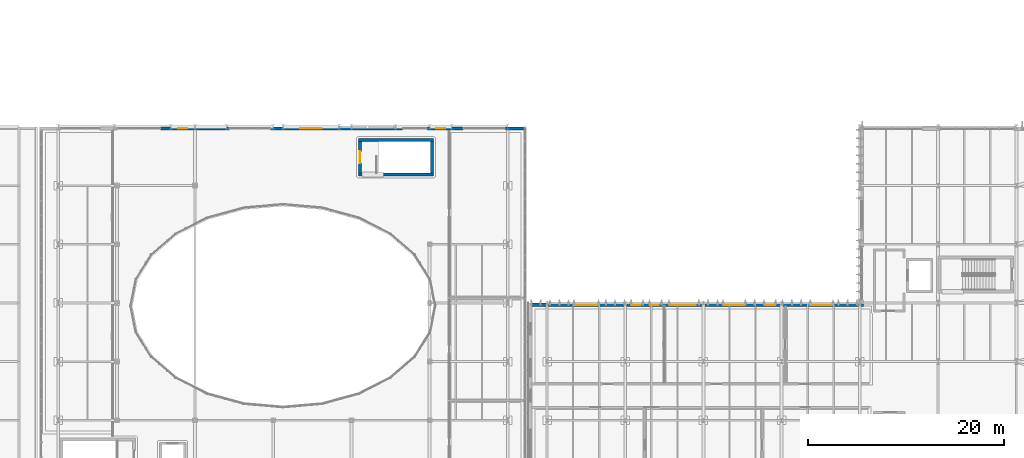
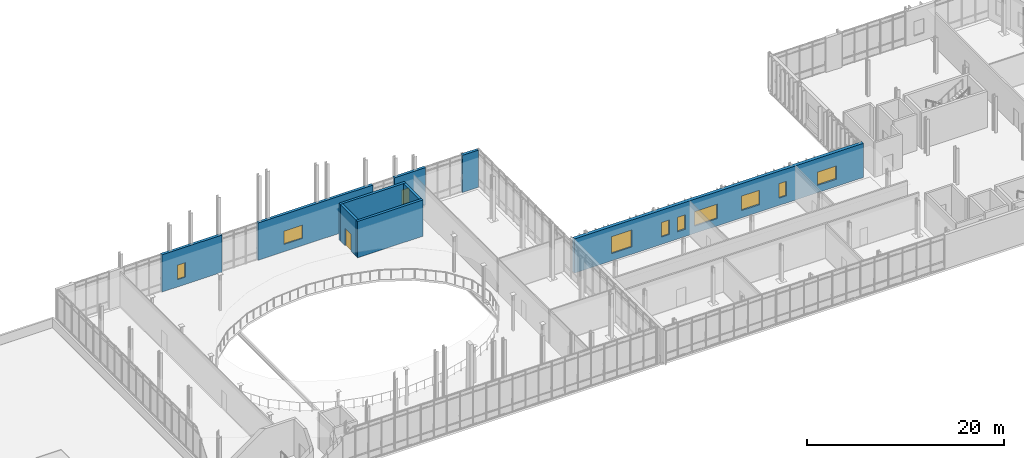
# One storey, part 62 of 86: 10 windows, 9 walls, 1 door, 11 openings.
"""IFC4 building model written with IfcOpenShell, lengths in metres."""

from ifc_helpers import new_model, si_unit, direction, frame, frame_2d, origin, place, context, subcontext, project, spatial, rectangle, extrude, material, layer, layer_set, type_object, element, fill, save


model = new_model("IFC4")

# Units and contexts
model_context = context("Model", 3, precision=1e-05, world=origin(), true_north=direction((0.0, 1.0)))
body_context = subcontext(model_context, "Body", "Model", "MODEL_VIEW")
ifc_project = project(units=[si_unit("LENGTHUNIT", "METRE"), si_unit("AREAUNIT", "SQUARE_METRE"), si_unit("VOLUMEUNIT", "CUBIC_METRE"), si_unit("PLANEANGLEUNIT", "RADIAN"), si_unit("MASSUNIT", "GRAM", prefix="KILO")], contexts=[model_context])

# Site, building, storey
site_placement = place(None, origin())
site = spatial("IfcSite", under=ifc_project, at=site_placement, CompositionType="ELEMENT")
building_placement = place(site_placement, origin())
building = spatial("IfcBuilding", under=site, at=building_placement, Name="Cymarion Research Institute", CompositionType="ELEMENT")
storey_placement = place(building_placement, frame((0.0, 0.0, 13.800048828125)))
storey = spatial("IfcBuildingStorey", under=building, at=storey_placement, Name="L03", CompositionType="ELEMENT", Elevation=13.800048828125)

# Wall, openings, windows
ifc_material_1 = material(Name="Precast concrete C40/50", Category="concrete")
ifc_layer_1 = layer(ifc_material_1, 0.3798828125)
ifc_layer_set_1 = layer_set([ifc_layer_1], Name="Precast concrete C40/50")
wall_type_1 = type_object("IfcWallType", Name="EXTERIOR WALL EW-PC380 380MM", PredefinedType="SOLIDWALL", material=ifc_layer_set_1)
wall_1_placement = place(storey_placement, frame((138.9619140625, 23.31005859375, 0.0), z_axis=(0.0, 0.0, 1.0), x_axis=(-1.0, 0.0, 0.0)))
wall_1 = element("IfcWall", 1, at=wall_1_placement, inside=storey, type_object=wall_type_1, Name="L03 V1 exterior wall EW-PC380 #179", PredefinedType="SOLIDWALL", context=body_context, shape_type="SweptSolid", body=[
    extrude(rectangle(XDim=33.89990234375, YDim=0.3798828125, at=frame_2d((16.949951171875, 0.0))), origin(), (0.0, 0.0, 1.0), 4.239990234375),
])
opening_1_placement = place(wall_1_placement, frame((3.181884765625, 0.0, 0.89990234375)))
opening_1 = element("IfcOpeningElement", 2, at=opening_1_placement, cuts=wall_1, Name="Opening W34", PredefinedType="OPENING", context=body_context, shape_type="SweptSolid", body=[
    extrude(rectangle(XDim=2.199951171875, YDim=1.64990234375, at=frame_2d((1.10009765625, 0.824951171875))), frame((0.0, 0.199951171875, 0.0), z_axis=(0.0, -1.0, 0.0), x_axis=(1.0, 0.0, 0.0)), (0.0, 0.0, 1.0), 0.39990234375),
])
opening_2_placement = place(wall_1_placement, frame((9.031982421875, 0.0, 0.89990234375)))
opening_2 = element("IfcOpeningElement", 3, at=opening_2_placement, cuts=wall_1, Name="Opening W24", PredefinedType="OPENING", context=body_context, shape_type="SweptSolid", body=[
    extrude(rectangle(XDim=0.89990234375, YDim=1.800048828125, at=frame_2d((0.449951171875, 0.89990234375))), frame((0.0, 0.199951171875, 0.0), z_axis=(0.0, -1.0, 0.0), x_axis=(1.0, 0.0, 0.0)), (0.0, 0.0, 1.0), 0.39990234375),
])
opening_3_placement = place(wall_1_placement, frame((12.19189453125, 0.0, 0.89990234375)))
opening_3 = element("IfcOpeningElement", 4, at=opening_3_placement, cuts=wall_1, Name="Opening W04", PredefinedType="OPENING", context=body_context, shape_type="SweptSolid", body=[
    extrude(rectangle(XDim=2.10009765625, YDim=1.800048828125, at=frame_2d((1.050048828125, 0.89990234375))), frame((0.0, 0.199951171875, 0.0), z_axis=(0.0, -1.0, 0.0), x_axis=(1.0, 0.0, 0.0)), (0.0, 0.0, 1.0), 0.39990234375),
])
opening_4_placement = place(wall_1_placement, frame((17.132080078125, 0.0, 0.89990234375)))
opening_4 = element("IfcOpeningElement", 5, at=opening_4_placement, cuts=wall_1, Name="Opening W06", PredefinedType="OPENING", context=body_context, shape_type="SweptSolid", body=[
    extrude(rectangle(XDim=2.699951171875, YDim=1.800048828125, at=frame_2d((1.35009765625, 0.89990234375))), frame((0.0, 0.199951171875, 0.0), z_axis=(0.0, -1.0, 0.0), x_axis=(1.0, 0.0, 0.0)), (0.0, 0.0, 1.0), 0.39990234375),
])
opening_5_placement = place(wall_1_placement, frame((20.912109375, 0.0, 0.89990234375)))
opening_5 = element("IfcOpeningElement", 6, at=opening_5_placement, cuts=wall_1, Name="Opening W24", PredefinedType="OPENING", context=body_context, shape_type="SweptSolid", body=[
    extrude(rectangle(XDim=0.89990234375, YDim=1.800048828125, at=frame_2d((0.449951171875, 0.89990234375))), frame((0.0, 0.199951171875, 0.0), z_axis=(0.0, -1.0, 0.0), x_axis=(1.0, 0.0, 0.0)), (0.0, 0.0, 1.0), 0.39990234375),
])
opening_6_placement = place(wall_1_placement, frame((22.7919921875, 0.0, 0.89990234375)))
opening_6 = element("IfcOpeningElement", 7, at=opening_6_placement, cuts=wall_1, Name="Opening W24", PredefinedType="OPENING", context=body_context, shape_type="SweptSolid", body=[
    extrude(rectangle(XDim=0.89990234375, YDim=1.800048828125, at=frame_2d((0.449951171875, 0.89990234375))), frame((0.0, 0.199951171875, 0.0), z_axis=(0.0, -1.0, 0.0), x_axis=(1.0, 0.0, 0.0)), (0.0, 0.0, 1.0), 0.39990234375),
])
opening_7_placement = place(wall_1_placement, frame((27.162109375, 0.0, 0.89990234375)))
opening_7 = element("IfcOpeningElement", 8, at=opening_7_placement, cuts=wall_1, Name="Opening W12", PredefinedType="OPENING", context=body_context, shape_type="SweptSolid", body=[
    extrude(rectangle(XDim=2.39990234375, YDim=2.10009765625, at=frame_2d((1.199951171875, 1.050048828125))), frame((0.0, 0.199951171875, 0.0), z_axis=(0.0, -1.0, 0.0), x_axis=(1.0, 0.0, 0.0)), (0.0, 0.0, 1.0), 0.39990234375),
])
ifc_material_2 = material(Name="Thermally broken aluminium window with Low-E glazing", Category="aluminium")
window_type_1 = type_object("IfcWindowType", Name="THERMALLY BROKEN ALUMINIUM WINDOW W04 2100X1800", PartitioningType="DOUBLE_PANEL_VERTICAL", PredefinedType="WINDOW", material=ifc_material_2)
window_1_placement = place(opening_3_placement, origin())
window_1 = element("IfcWindow", 9, at=window_1_placement, inside=storey, type_object=window_type_1, Name="L03 V1 facade window W04 #323", OverallHeight=1.800048828125, OverallWidth=2.10009765625, PartitioningType="SINGLE_PANEL", PredefinedType="WINDOW", context=body_context, shape_type="SweptSolid", body=[
    extrude(rectangle(XDim=2.10009765625, YDim=1.800048828125, at=frame_2d((1.050048828125, 0.89990234375))), frame((0.0, 0.030029296875, 0.0), z_axis=(0.0, -1.0, 0.0), x_axis=(1.0, 0.0, 0.0)), (0.0, 0.0, 1.0), 0.06005859375),
])
fill(opening_3, window_1)
window_type_2 = type_object("IfcWindowType", Name="THERMALLY BROKEN ALUMINIUM WINDOW W06 2700X1800", PartitioningType="TRIPLE_PANEL_VERTICAL", PredefinedType="WINDOW", material=ifc_material_2)
window_2_placement = place(opening_4_placement, origin())
window_2 = element("IfcWindow", 10, at=window_2_placement, inside=storey, type_object=window_type_2, Name="L03 V1 facade window W06 #324", OverallHeight=1.800048828125, OverallWidth=2.699951171875, PartitioningType="SINGLE_PANEL", PredefinedType="WINDOW", context=body_context, shape_type="SweptSolid", body=[
    extrude(rectangle(XDim=2.699951171875, YDim=1.800048828125, at=frame_2d((1.35009765625, 0.89990234375))), frame((0.0, 0.030029296875, 0.0), z_axis=(0.0, -1.0, 0.0), x_axis=(1.0, 0.0, 0.0)), (0.0, 0.0, 1.0), 0.06005859375),
])
fill(opening_4, window_2)
window_type_3 = type_object("IfcWindowType", Name="THERMALLY BROKEN ALUMINIUM WINDOW W12 2400X2100", PartitioningType="TRIPLE_PANEL_VERTICAL", PredefinedType="WINDOW", material=ifc_material_2)
window_3_placement = place(opening_7_placement, origin())
window_3 = element("IfcWindow", 11, at=window_3_placement, inside=storey, type_object=window_type_3, Name="L03 V1 facade window W12 #327", OverallHeight=2.10009765625, OverallWidth=2.39990234375, PartitioningType="SINGLE_PANEL", PredefinedType="WINDOW", context=body_context, shape_type="SweptSolid", body=[
    extrude(rectangle(XDim=2.39990234375, YDim=2.10009765625, at=frame_2d((1.199951171875, 1.050048828125))), frame((0.0, 0.030029296875, 0.0), z_axis=(0.0, -1.0, 0.0), x_axis=(1.0, 0.0, 0.0)), (0.0, 0.0, 1.0), 0.06005859375),
])
fill(opening_7, window_3)
window_type_4 = type_object("IfcWindowType", Name="THERMALLY BROKEN ALUMINIUM WINDOW W24 900X1800", PartitioningType="SINGLE_PANEL", PredefinedType="WINDOW", material=ifc_material_2)
window_4_placement = place(opening_2_placement, origin())
window_4 = element("IfcWindow", 12, at=window_4_placement, inside=storey, type_object=window_type_4, Name="L03 V1 facade window W24 #322", OverallHeight=1.800048828125, OverallWidth=0.89990234375, PartitioningType="SINGLE_PANEL", PredefinedType="WINDOW", context=body_context, shape_type="SweptSolid", body=[
    extrude(rectangle(XDim=0.89990234375, YDim=1.800048828125, at=frame_2d((0.449951171875, 0.89990234375))), frame((0.0, 0.030029296875, 0.0), z_axis=(0.0, -1.0, 0.0), x_axis=(1.0, 0.0, 0.0)), (0.0, 0.0, 1.0), 0.06005859375),
])
fill(opening_2, window_4)
window_5_placement = place(opening_5_placement, origin())
window_5 = element("IfcWindow", 13, at=window_5_placement, inside=storey, type_object=window_type_4, Name="L03 V1 facade window W24 #325", OverallHeight=1.800048828125, OverallWidth=0.89990234375, PartitioningType="SINGLE_PANEL", PredefinedType="WINDOW", context=body_context, shape_type="SweptSolid", body=[
    extrude(rectangle(XDim=0.89990234375, YDim=1.800048828125, at=frame_2d((0.449951171875, 0.89990234375))), frame((0.0, 0.030029296875, 0.0), z_axis=(0.0, -1.0, 0.0), x_axis=(1.0, 0.0, 0.0)), (0.0, 0.0, 1.0), 0.06005859375),
])
fill(opening_5, window_5)
window_6_placement = place(opening_6_placement, origin())
window_6 = element("IfcWindow", 14, at=window_6_placement, inside=storey, type_object=window_type_4, Name="L03 V1 facade window W24 #326", OverallHeight=1.800048828125, OverallWidth=0.89990234375, PartitioningType="SINGLE_PANEL", PredefinedType="WINDOW", context=body_context, shape_type="SweptSolid", body=[
    extrude(rectangle(XDim=0.89990234375, YDim=1.800048828125, at=frame_2d((0.449951171875, 0.89990234375))), frame((0.0, 0.030029296875, 0.0), z_axis=(0.0, -1.0, 0.0), x_axis=(1.0, 0.0, 0.0)), (0.0, 0.0, 1.0), 0.06005859375),
])
fill(opening_6, window_6)
window_type_5 = type_object("IfcWindowType", Name="THERMALLY BROKEN ALUMINIUM WINDOW W34 2200X1650", PartitioningType="DOUBLE_PANEL_VERTICAL", PredefinedType="WINDOW", material=ifc_material_2)
window_7_placement = place(opening_1_placement, origin())
window_7 = element("IfcWindow", 15, at=window_7_placement, inside=storey, type_object=window_type_5, Name="L03 V1 facade window W34 #321", OverallHeight=1.64990234375, OverallWidth=2.199951171875, PartitioningType="SINGLE_PANEL", PredefinedType="WINDOW", context=body_context, shape_type="SweptSolid", body=[
    extrude(rectangle(XDim=2.199951171875, YDim=1.64990234375, at=frame_2d((1.10009765625, 0.824951171875))), frame((0.0, 0.030029296875, 0.0), z_axis=(0.0, -1.0, 0.0), x_axis=(1.0, 0.0, 0.0)), (0.0, 0.0, 1.0), 0.06005859375),
])
fill(opening_1, window_7)

# Wall
ifc_material_3 = material(Name="Concrete C40/50", Category="concrete")
ifc_layer_2 = layer(ifc_material_3, 0.320068359375)
ifc_layer_set_2 = layer_set([ifc_layer_2], Name="Concrete C40/50")
wall_type_2 = type_object("IfcWallType", Name="EXTERIOR WALL EW-RC320 320MM", PredefinedType="SHEAR", material=ifc_layer_set_2)
wall_2_placement = place(storey_placement, frame((104.197998046875, 41.340087890625, 0.0), z_axis=(0.0, 0.0, 1.0), x_axis=(-1.0, 0.0, 0.0)))
element("IfcWall", 16, at=wall_2_placement, inside=storey, type_object=wall_type_2, Name="L03 V2 facade pier wall EW-RC320 #182", PredefinedType="SHEAR", context=body_context, shape_type="SweptSolid", body=[
    extrude(rectangle(XDim=1.85791015625, YDim=0.320068359375, at=frame_2d((0.928955078125, 0.0))), origin(), (0.0, 0.0, 1.0), 4.619873046875),
])

# Wall, opening, window
wall_3_placement = place(storey_placement, frame((98.0107421875, 41.340087890625, 0.0), z_axis=(0.0, 0.0, 1.0), x_axis=(-1.0, 0.0, 0.0)))
wall_3 = element("IfcWall", 17, at=wall_3_placement, inside=storey, type_object=wall_type_2, Name="L03 V2 facade pier wall EW-RC320 #183", PredefinedType="SHEAR", context=body_context, shape_type="SweptSolid", body=[
    extrude(rectangle(XDim=3.670654296875, YDim=0.320068359375, at=frame_2d((1.83544921875, 0.0))), origin(), (0.0, 0.0, 1.0), 4.619873046875),
])
opening_8_placement = place(wall_3_placement, frame((1.841064453125, 0.0, 0.89990234375)))
opening_8 = element("IfcOpeningElement", 18, at=opening_8_placement, cuts=wall_3, Name="Opening W24", PredefinedType="OPENING", context=body_context, shape_type="SweptSolid", body=[
    extrude(rectangle(XDim=0.89990234375, YDim=1.800048828125, at=frame_2d((0.449951171875, 0.89990234375))), frame((0.0, 0.169921875, 0.0), z_axis=(0.0, -1.0, 0.0), x_axis=(1.0, 0.0, 0.0)), (0.0, 0.0, 1.0), 0.340087890625),
])
window_8_placement = place(opening_8_placement, origin())
window_8 = element("IfcWindow", 19, at=window_8_placement, inside=storey, type_object=window_type_4, Name="L03 V2 facade window W24 #333", OverallHeight=1.800048828125, OverallWidth=0.89990234375, PartitioningType="SINGLE_PANEL", PredefinedType="WINDOW", context=body_context, shape_type="SweptSolid", body=[
    extrude(rectangle(XDim=0.89990234375, YDim=1.800048828125, at=frame_2d((0.449951171875, 0.89990234375))), frame((0.0, 0.030029296875, 0.0), z_axis=(0.0, -1.0, 0.0), x_axis=(1.0, 0.0, 0.0)), (0.0, 0.0, 1.0), 0.06005859375),
])
fill(opening_8, window_8)

wall_4_placement = place(storey_placement, frame((91.823486328125, 41.340087890625, 0.0), z_axis=(0.0, 0.0, 1.0), x_axis=(-1.0, 0.0, 0.0)))
wall_4 = element("IfcWall", 20, at=wall_4_placement, inside=storey, type_object=wall_type_2, Name="L03 V2 facade pier wall EW-RC320 #184", PredefinedType="SHEAR", context=body_context, shape_type="SweptSolid", body=[
    extrude(rectangle(XDim=13.4833984375, YDim=0.320068359375, at=frame_2d((6.74169921875, 0.0))), origin(), (0.0, 0.0, 1.0), 4.619873046875),
])
opening_9_placement = place(wall_4_placement, frame((8.259033203125, 0.0, 0.89990234375)))
opening_9 = element("IfcOpeningElement", 21, at=opening_9_placement, cuts=wall_4, Name="Opening W34", PredefinedType="OPENING", context=body_context, shape_type="SweptSolid", body=[
    extrude(rectangle(XDim=2.199951171875, YDim=1.64990234375, at=frame_2d((1.10009765625, 0.824951171875))), frame((0.0, 0.169921875, 0.0), z_axis=(0.0, -1.0, 0.0), x_axis=(1.0, 0.0, 0.0)), (0.0, 0.0, 1.0), 0.340087890625),
])
window_9_placement = place(opening_9_placement, origin())
window_9 = element("IfcWindow", 22, at=window_9_placement, inside=storey, type_object=window_type_5, Name="L03 V2 facade window W34 #334", OverallHeight=1.64990234375, OverallWidth=2.199951171875, PartitioningType="SINGLE_PANEL", PredefinedType="WINDOW", context=body_context, shape_type="SweptSolid", body=[
    extrude(rectangle(XDim=2.199951171875, YDim=1.64990234375, at=frame_2d((1.10009765625, 0.824951171875))), frame((0.0, 0.030029296875, 0.0), z_axis=(0.0, -1.0, 0.0), x_axis=(1.0, 0.0, 0.0)), (0.0, 0.0, 1.0), 0.06005859375),
])
fill(opening_9, window_9)

wall_5_placement = place(storey_placement, frame((74.110107421875, 41.340087890625, 0.0), z_axis=(0.0, 0.0, 1.0), x_axis=(-1.0, 0.0, 0.0)))
wall_5 = element("IfcWall", 23, at=wall_5_placement, inside=storey, type_object=wall_type_2, Name="L03 V2 facade pier wall EW-RC320 #185", PredefinedType="SHEAR", context=body_context, shape_type="SweptSolid", body=[
    extrude(rectangle(XDim=7.03564453125, YDim=0.320068359375, at=frame_2d((3.517822265625, 0.0))), origin(), (0.0, 0.0, 1.0), 4.619873046875),
])
opening_10_placement = place(wall_5_placement, frame((4.31005859375, 0.0, 0.89990234375)))
opening_10 = element("IfcOpeningElement", 24, at=opening_10_placement, cuts=wall_5, Name="Opening W24", PredefinedType="OPENING", context=body_context, shape_type="SweptSolid", body=[
    extrude(rectangle(XDim=0.89990234375, YDim=1.800048828125, at=frame_2d((0.449951171875, 0.89990234375))), frame((0.0, 0.169921875, 0.0), z_axis=(0.0, -1.0, 0.0), x_axis=(1.0, 0.0, 0.0)), (0.0, 0.0, 1.0), 0.340087890625),
])
window_10_placement = place(opening_10_placement, origin())
window_10 = element("IfcWindow", 25, at=window_10_placement, inside=storey, type_object=window_type_4, Name="L03 V2 facade window W24 #335", OverallHeight=1.800048828125, OverallWidth=0.89990234375, PartitioningType="SINGLE_PANEL", PredefinedType="WINDOW", context=body_context, shape_type="SweptSolid", body=[
    extrude(rectangle(XDim=0.89990234375, YDim=1.800048828125, at=frame_2d((0.449951171875, 0.89990234375))), frame((0.0, 0.030029296875, 0.0), z_axis=(0.0, -1.0, 0.0), x_axis=(1.0, 0.0, 0.0)), (0.0, 0.0, 1.0), 0.06005859375),
])
fill(opening_10, window_10)

# Walls
ifc_layer_3 = layer(ifc_material_3, 0.300048828125)
ifc_layer_set_3 = layer_set([ifc_layer_3], Name="Concrete C40/50")
wall_type_3 = type_object("IfcWallType", Name="REINFORCED CONCRETE CORE WALL CW-SH300 300MM", PredefinedType="SHEAR", material=ifc_layer_set_3)
for number, where, z_axis, x_axis, name in (
    (26, (87.300048828125, 36.64990234375, 0.0), (0.0, 0.0, 1.0), (1.0, 0.0, 0.0), "L03 SHW-C4-L03 south core wall"),
    (27, (95.0, 40.14990234375, 0.0), (0.0, 0.0, 1.0), (-1.0, 0.0, 0.0), "L03 SHW-C4-L03 north core wall"),
):
    element("IfcWall", number, at=place(storey_placement, frame(where, z_axis=z_axis, x_axis=x_axis)), inside=storey, type_object=wall_type_3, Name=name, PredefinedType="SHEAR", context=body_context, shape_type="SweptSolid", body=[
        extrude(rectangle(XDim=7.699951171875, YDim=0.300048828125, at=frame_2d((3.85009765625, 0.0))), origin(), (0.0, 0.0, 1.0), 4.5),
    ])

# Wall, opening, door
wall_6_placement = place(storey_placement, frame((87.449951171875, 40.0, 0.0), z_axis=(0.0, 0.0, 1.0), x_axis=(0.0, -1.0, 0.0)))
wall_6 = element("IfcWall", 28, at=wall_6_placement, inside=storey, type_object=wall_type_3, Name="L03 SHW-C4-L03 west core wall", PredefinedType="SHEAR", context=body_context, shape_type="SweptSolid", body=[
    extrude(rectangle(XDim=3.199951171875, YDim=0.300048828125, at=frame_2d((1.60009765625, 0.0))), origin(), (0.0, 0.0, 1.0), 4.5),
])
opening_11_placement = place(wall_6_placement, frame((1.0, 0.0, 0.0)))
opening_11 = element("IfcOpeningElement", 29, at=opening_11_placement, cuts=wall_6, Name="Opening FD-L03-ST4", PredefinedType="OPENING", context=body_context, shape_type="SweptSolid", body=[
    extrude(rectangle(XDim=1.199951171875, YDim=2.14990234375, at=frame_2d((0.60009765625, 1.074951171875))), frame((0.0, 0.159912109375, 0.0), z_axis=(0.0, -1.0, 0.0), x_axis=(1.0, 0.0, 0.0)), (0.0, 0.0, 1.0), 0.320068359375),
])
ifc_material_4 = material(Name="Fire-rated insulated steel door assembly", Category="steel")
door_type = type_object("IfcDoorType", Name="SMOKE PROOF STAIR FIRE DOOR DT-ST120 1200X2150", OperationType="NOTDEFINED", PredefinedType="DOOR", material=ifc_material_4)
door_placement = place(opening_11_placement, origin())
door = element("IfcDoor", 30, at=door_placement, inside=storey, type_object=door_type, Name="L03 ST4 smoke-proof stair door FD-L03-ST4", OperationType="SINGLE_SWING_RIGHT", OverallHeight=2.14990234375, OverallWidth=1.199951171875, PredefinedType="DOOR", context=body_context, shape_type="SweptSolid", body=[
    extrude(rectangle(XDim=1.199951171875, YDim=2.14990234375, at=frame_2d((0.60009765625, 1.074951171875))), frame((0.0, 0.02490234375, 0.0), z_axis=(0.0, -1.0, 0.0), x_axis=(1.0, 0.0, 0.0)), (0.0, 0.0, 1.0), 0.050048828125),
])
fill(opening_11, door)

# Wall
wall_7_placement = place(storey_placement, frame((94.85009765625, 36.800048828125, 0.0), z_axis=(0.0, 0.0, 1.0), x_axis=(0.0, 1.0, 0.0)))
element("IfcWall", 31, at=wall_7_placement, inside=storey, type_object=wall_type_3, Name="L03 SHW-C4-L03 east core wall", PredefinedType="SHEAR", context=body_context, shape_type="SweptSolid", body=[
    extrude(rectangle(XDim=3.199951171875, YDim=0.300048828125, at=frame_2d((1.60009765625, 0.0))), origin(), (0.0, 0.0, 1.0), 4.5),
])

save(model, "model.ifc")
